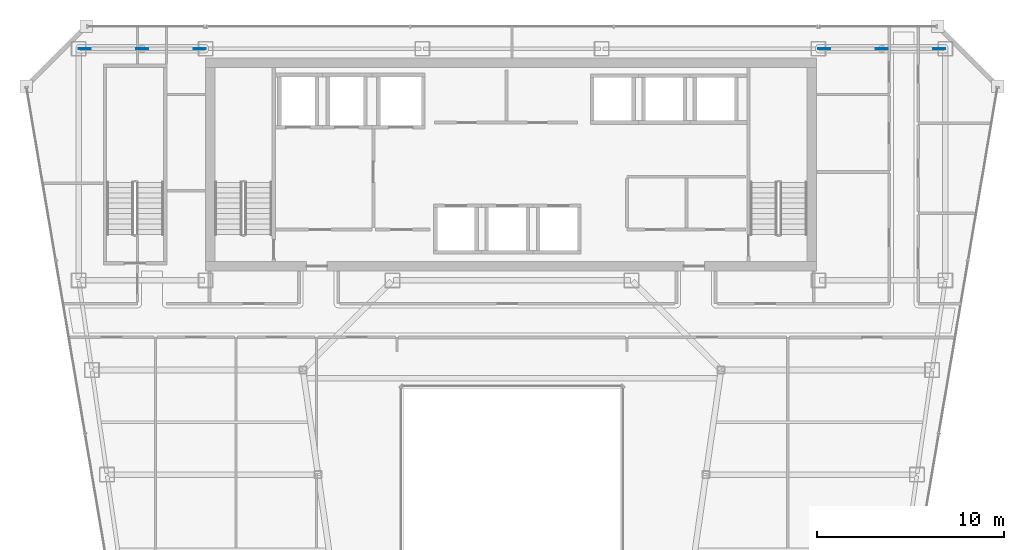
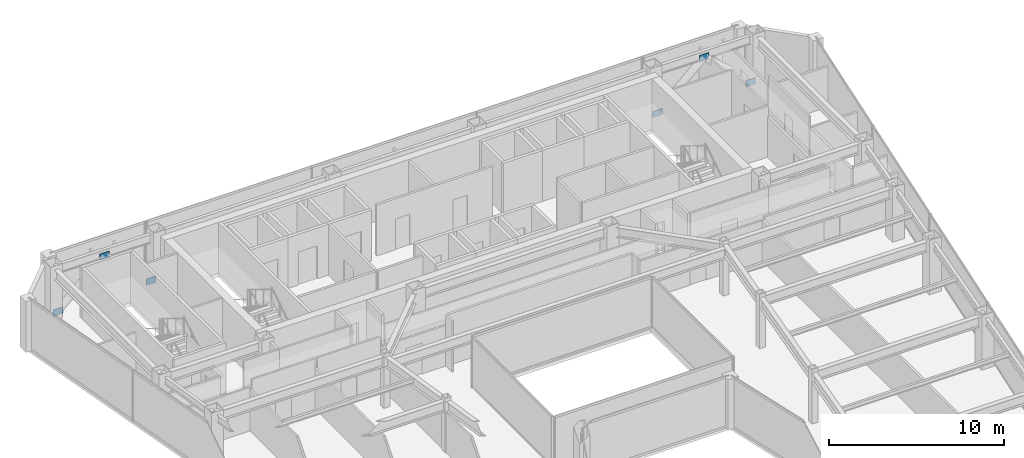
# One storey, part 29 of 36: 6 plates.
"""IFC4 building model written with IfcOpenShell, lengths in metres."""

import ifcopenshell
import ifcopenshell.guid

model = None  # the IFC model being written
_history = None  # IfcOwnerHistory: only IFC2X3 demands one
_inside = {}  # id of a spatial element -> (the spatial element, [elements in it])
_under = {}  # id of a project, library or spatial element -> (it, [spatial elements below it])
_declared = {}  # id of a project -> (the project, [libraries it declares])
_typed = {}  # id of a type object -> (the type object, [elements of that type])
_made_of = {}  # id of a material, layer set ... -> (it, [elements and type objects made of it])


def new_model(schema):
    """Start an empty IFC model of exactly this schema.

    Asked for "IFC4X3", IfcOpenShell would pick the latest addendum, in which some entities
    have other attributes; the version numbers below select the first issue.
    IFC2X3 requires an IfcOwnerHistory on every rooted entity: one is made here for all.
    """
    global model, _history
    if schema == "IFC4X3":
        model = ifcopenshell.file(schema_version=(4, 3, 0, 0))
    else:
        model = ifcopenshell.file(schema=schema)
    _inside.clear()
    _under.clear()
    _declared.clear()
    _typed.clear()
    _made_of.clear()
    _history = None
    if model.schema == "IFC2X3":
        org = make("IfcOrganization", Name="unknown")
        user = make(
            "IfcPersonAndOrganization",
            ThePerson=make("IfcPerson", FamilyName="unknown"),
            TheOrganization=org,
        )
        app = make(
            "IfcApplication",
            ApplicationDeveloper=org,
            Version="unknown",
            ApplicationFullName="unknown",
            ApplicationIdentifier="unknown",
        )
        _history = make(
            "IfcOwnerHistory",
            OwningUser=user,
            OwningApplication=app,
            ChangeAction="ADDED",
            CreationDate=0,
        )
    return model


def make(cls, **values):
    """One entity of the class cls with the attributes given. An attribute that is None is left unset."""
    return model.create_entity(
        cls, **{name: value for name, value in values.items() if value is not None}
    )


def rooted(cls, **values):
    """An entity with a GlobalId (a new one), such as an element, a storey or a relation."""
    return make(cls, GlobalId=ifcopenshell.guid.new(), OwnerHistory=_history, **values)


def si_unit(unit_type, name, prefix=None):
    """IfcSIUnit, for example si_unit("LENGTHUNIT", "METRE", prefix="MILLI")."""
    return make("IfcSIUnit", UnitType=unit_type, Prefix=prefix, Name=name)


def assignment(units):
    """IfcUnitAssignment: the units of a project."""
    return None if units is None else make("IfcUnitAssignment", Units=units)


def point(xyz):
    """IfcCartesianPoint."""
    return None if xyz is None else make("IfcCartesianPoint", Coordinates=xyz)


def direction(xyz):
    """IfcDirection."""
    return None if xyz is None else make("IfcDirection", DirectionRatios=xyz)


def frame(location, z_axis=None, x_axis=None):
    """IfcAxis2Placement3D, a coordinate frame: its origin and axes. An axis left out is left unset."""
    return make(
        "IfcAxis2Placement3D",
        Location=point(location),
        Axis=direction(z_axis),
        RefDirection=direction(x_axis),
    )


def frame_2d(location, x_axis=None):
    """IfcAxis2Placement2D, a coordinate frame in the plane: its origin and x axis."""
    return make(
        "IfcAxis2Placement2D", Location=point(location), RefDirection=direction(x_axis)
    )


def origin():
    """The frame at (0, 0, 0) with its axes left unset."""
    return frame((0.0, 0.0, 0.0))


def origin_2d():
    """The frame at (0, 0) in the plane with its x axis left unset."""
    return frame_2d((0.0, 0.0))


def place(relative_to, where):
    """IfcLocalPlacement: puts the frame where relative to a parent placement (None: the world)."""
    return make(
        "IfcLocalPlacement", PlacementRelTo=relative_to, RelativePlacement=where
    )


def context(
    kind, dimensions, precision=None, world=None, true_north=None, identifier=None
):
    """IfcGeometricRepresentationContext, for example the 3D "Model" context."""
    return make(
        "IfcGeometricRepresentationContext",
        ContextIdentifier=identifier,
        ContextType=kind,
        CoordinateSpaceDimension=dimensions,
        Precision=precision,
        WorldCoordinateSystem=world,
        TrueNorth=true_north,
    )


def subcontext(parent, identifier, kind, view, scale=None):
    """IfcGeometricRepresentationSubContext, for example "Body" below "Model"."""
    return make(
        "IfcGeometricRepresentationSubContext",
        ContextIdentifier=identifier,
        ContextType=kind,
        ParentContext=parent,
        TargetScale=scale,
        TargetView=view,
    )


def project(units=None, contexts=None):
    """IfcProject with its units and contexts."""
    return rooted(
        "IfcProject",
        Name="project",
        RepresentationContexts=contexts,
        UnitsInContext=assignment(units),
    )


def spatial(cls, under=None, at=None, **own):
    """A site, building, storey or space (cls), placed at a placement, below another one or the project."""
    s = rooted(cls, ObjectPlacement=at, **own)
    if under is not None:
        _under.setdefault(under.id(), (under, []))[1].append(s)
    return s


def profile(cls, at=None, kind="AREA", **sizes):
    """A parametric profile (cls). Its sizes go by their IFC names, for example OverallWidth=200.0."""
    return make(cls, ProfileType=kind, Position=at, **sizes)


def rectangle(**sizes):
    """IfcRectangleProfileDef."""
    return profile("IfcRectangleProfileDef", **sizes)


def extrude(swept, where, along, depth):
    """IfcExtrudedAreaSolid: the profile swept, set in the frame where, extruded along a direction by depth."""
    return make(
        "IfcExtrudedAreaSolid",
        SweptArea=swept,
        Position=where,
        ExtrudedDirection=direction(along),
        Depth=depth,
    )


def shape(context_of_items, identifier, shape_type, items):
    """IfcShapeRepresentation: the items that make up one representation, for example the "Body"."""
    return make(
        "IfcShapeRepresentation",
        ContextOfItems=context_of_items,
        RepresentationIdentifier=identifier,
        RepresentationType=shape_type,
        Items=items,
    )


def material(Name=None, Category=None):
    """IfcMaterial."""
    return make("IfcMaterial", Name=Name, Category=Category)


def layer(
    of_material, thickness, ventilated=None, Name=None, Category=None, Priority=None
):
    """IfcMaterialLayer: one layer of a wall or slab, of a material (None: an air gap)."""
    return make(
        "IfcMaterialLayer",
        Material=of_material,
        LayerThickness=thickness,
        IsVentilated=ventilated,
        Name=Name,
        Category=Category,
        Priority=Priority,
    )


def layer_set(layers, Name=None):
    """IfcMaterialLayerSet."""
    return make("IfcMaterialLayerSet", MaterialLayers=layers, LayerSetName=Name)


def made_of(thing, what):
    """Note that an element or type object is made of a material, layer set ...; save() writes the relation."""
    if what is not None:
        _made_of.setdefault(what.id(), (what, []))[1].append(thing)
    return thing


def type_object(cls, material=None, **own):
    """A type object (cls), such as IfcWallType, which elements share."""
    return made_of(rooted(cls, **own), material)


def element(
    cls,
    number,
    at=None,
    inside=None,
    cuts=None,
    type_object=None,
    material=None,
    context=None,
    identifier="Body",
    shape_type=None,
    held_by="IfcProductDefinitionShape",
    body=None,
    shapes=None,
    **own,
):
    """One element of the class cls, such as IfcWall. Its Tag is "e" and its number.

    at: its placement. inside: the storey or other place that contains it. cuts: it is an
    opening in that element (IfcRelVoidsElement). A single representation is given by context,
    identifier, shape_type and body (its items); several are given by shapes. held_by: the class
    of the entity that holds the representations. save() writes the other relations.
    """
    e = rooted(cls, Tag="e%d" % number, ObjectPlacement=at, **own)
    if body is not None:
        shapes = [shape(context, identifier, shape_type, body)]
    if shapes is not None:
        e.Representation = make(held_by, Representations=shapes)
    if inside is not None:
        _inside.setdefault(inside.id(), (inside, []))[1].append(e)
    if cuts is not None:
        rooted(
            "IfcRelVoidsElement", RelatingBuildingElement=cuts, RelatedOpeningElement=e
        )
    if type_object is not None:
        _typed.setdefault(type_object.id(), (type_object, []))[1].append(e)
    return made_of(e, material)


def aggregate(whole, parts):
    """IfcRelAggregates: a whole, such as a stair, and the parts it consists of."""
    return rooted("IfcRelAggregates", RelatingObject=whole, RelatedObjects=parts)


def save(model, path):
    """Write the relations noted so far, then the file.

    IfcRelAggregates (storeys below a building ...), IfcRelContainedInSpatialStructure (elements
    in a storey), IfcRelDefinesByType, IfcRelAssociatesMaterial and IfcRelDeclares: one each for
    every whole, place, type object, material and project.
    """
    for whole, parts in _under.values():
        aggregate(whole, parts)
    for where, things in _inside.values():
        rooted(
            "IfcRelContainedInSpatialStructure",
            RelatedElements=things,
            RelatingStructure=where,
        )
    for kind, things in _typed.values():
        rooted("IfcRelDefinesByType", RelatedObjects=things, RelatingType=kind)
    for what, things in _made_of.values():
        rooted("IfcRelAssociatesMaterial", RelatedObjects=things, RelatingMaterial=what)
    for by, libraries in _declared.values():
        rooted("IfcRelDeclares", RelatingContext=by, RelatedDefinitions=libraries)
    model.write(path)


model = new_model("IFC4")

# Units and contexts
model_context = context("Model", 3, precision=1e-05, world=origin(), true_north=direction((0.0, 1.0)))
body_context = subcontext(model_context, "Body", "Model", "MODEL_VIEW")
ifc_project = project(units=[si_unit("LENGTHUNIT", "METRE"), si_unit("AREAUNIT", "SQUARE_METRE"), si_unit("VOLUMEUNIT", "CUBIC_METRE"), si_unit("PLANEANGLEUNIT", "RADIAN"), si_unit("MASSUNIT", "GRAM", prefix="KILO")], contexts=[model_context])

# Site, building, storey
site_placement = place(None, origin())
site = spatial("IfcSite", under=ifc_project, at=site_placement, CompositionType="ELEMENT")
building_placement = place(site_placement, origin())
building = spatial("IfcBuilding", under=site, at=building_placement, Name="Saevonmaru Cultural Tower", CompositionType="ELEMENT")
storey_placement = place(building_placement, frame((0.0, 0.0, 198.0)))
storey = spatial("IfcBuildingStorey", under=building, at=storey_placement, Name="L45", CompositionType="ELEMENT", Elevation=198.0)

# Plates
ifc_material = material(Name="Steel HSA600 (600 MPa)", Category="steel")
ifc_layer = layer(ifc_material, 0.0400390625, Name="Steel HSA600 (600 MPa)")
ifc_layer_set = layer_set([ifc_layer], Name="Steel HSA600 (600 MPa)")
plate_type = type_object("IfcPlateType", Name="PL-GUSSET-EXT", PredefinedType="USERDEFINED", material=ifc_layer_set)
for number, where, z_axis, x_axis, name in (
    (1, (10.199951171875, 54.800048828125, 2.85009765625), (0.0, 0.0, 1.0), (1.0, 0.0, 0.0), "L45 Perimeter Tube Gusset Plate"),
    (2, (7.1201171875, 54.800048828125, 0.02001953125), (0.0, 0.0, 1.0), (1.0, 0.0, 0.0), "L45 Perimeter Tube Gusset Plate"),
    (3, (13.280029296875, 54.800048828125, 0.02001953125), (0.0, 0.0, 1.0), (1.0, 0.0, 0.0), "L45 Perimeter Tube Gusset Plate"),
    (4, (49.800048828125, 54.800048828125, 2.85009765625), (0.0, 0.0, 1.0), (1.0, 0.0, 0.0), "L45 Perimeter Tube Gusset Plate"),
    (5, (46.719970703125, 54.800048828125, 0.02001953125), (0.0, 0.0, 1.0), (1.0, 0.0, 0.0), "L45 Perimeter Tube Gusset Plate"),
    (6, (52.8798828125, 54.800048828125, 0.02001953125), (0.0, 0.0, 1.0), (1.0, 0.0, 0.0), "L45 Perimeter Tube Gusset Plate"),
):
    element("IfcPlate", number, at=place(storey_placement, frame(where, z_axis=z_axis, x_axis=x_axis)), inside=storey, type_object=plate_type, Name=name, ObjectType="GUSSET_PLATE", PredefinedType="USERDEFINED", context=body_context, shape_type="SweptSolid", body=[
        extrude(rectangle(XDim=0.639892578125, YDim=0.0400390625, at=origin_2d()), origin(), (0.0, 0.0, 1.0), 0.43994140625),
    ])

save(model, "model.ifc")
